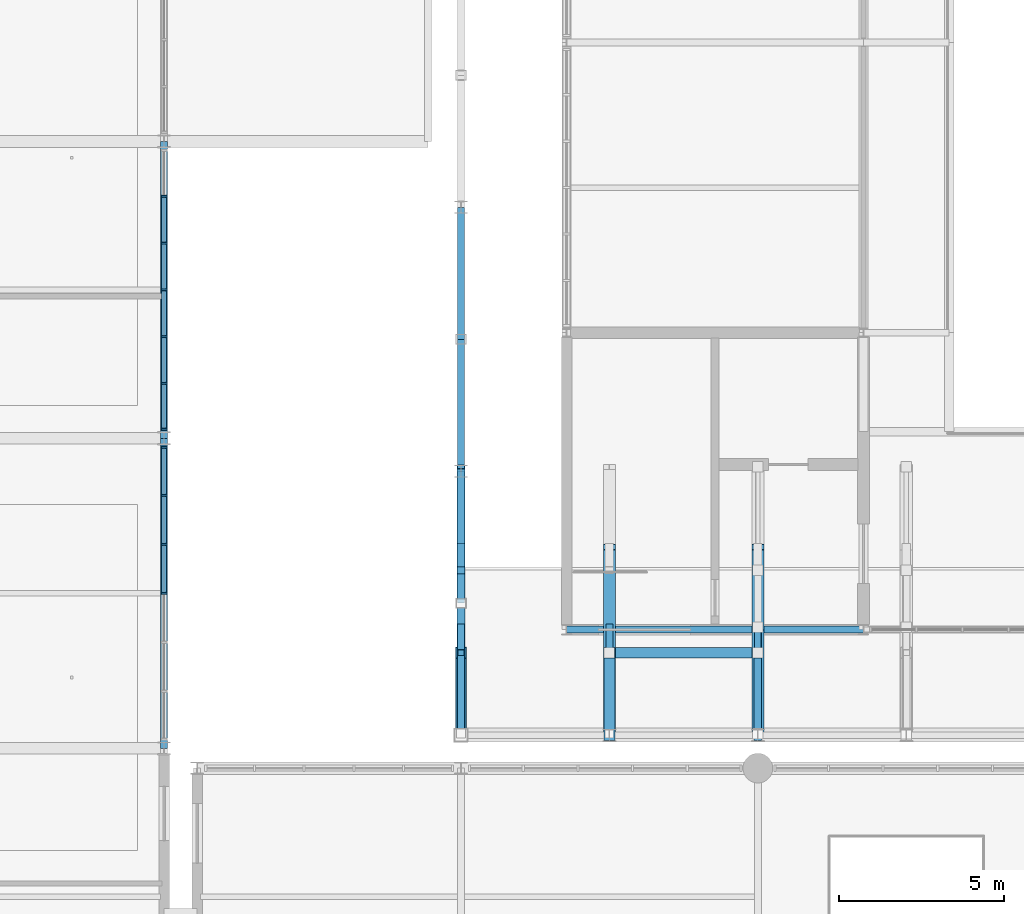
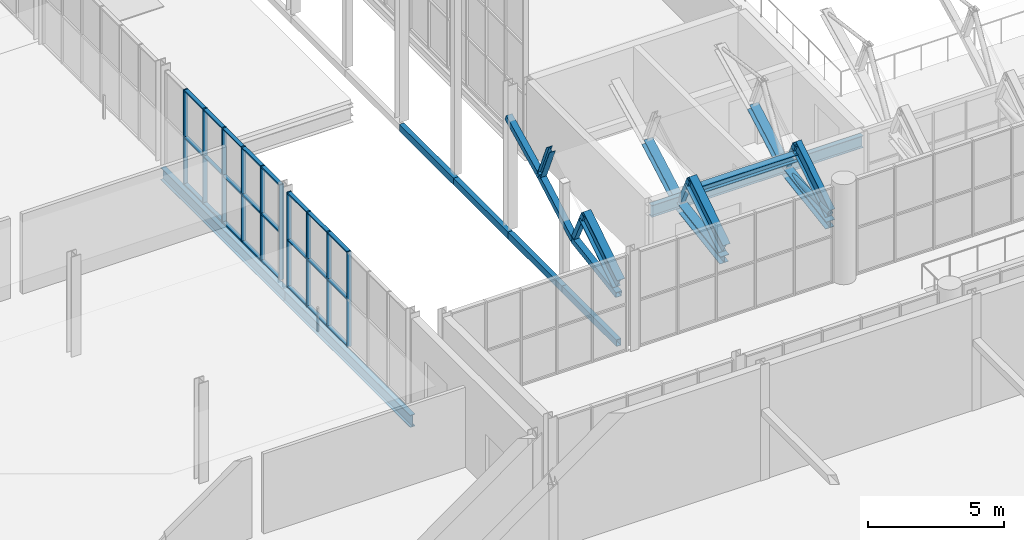
# One storey, part 46 of 134: 47 members, 10 beams, 2 elements without a shape of their own.
"""IFC4 building model written with IfcOpenShell, lengths in metres."""

from ifc_helpers import new_model, si_unit, direction, frame, origin, origin_2d, place, context, subcontext, project, spatial, rectangle, hollow_rectangle, hollow_circle, i_section, extrude, material, layer, layer_set, material_profile, profile_set, type_object, element, aggregate, save


model = new_model("IFC4")

# Units and contexts
model_context = context("Model", 3, precision=1e-05, world=origin(), true_north=direction((0.0, 1.0)))
body_context = subcontext(model_context, "Body", "Model", "MODEL_VIEW")
ifc_project = project(units=[si_unit("LENGTHUNIT", "METRE"), si_unit("AREAUNIT", "SQUARE_METRE"), si_unit("VOLUMEUNIT", "CUBIC_METRE"), si_unit("PLANEANGLEUNIT", "RADIAN"), si_unit("MASSUNIT", "GRAM", prefix="KILO")], contexts=[model_context])

# Site, building, storey
site_placement = place(None, origin())
site = spatial("IfcSite", under=ifc_project, at=site_placement, CompositionType="ELEMENT")
building_placement = place(site_placement, origin())
building = spatial("IfcBuilding", under=site, at=building_placement, Name="Cazmaro Siding Exhibition Halls", CompositionType="ELEMENT")
storey_placement = place(building_placement, frame((0.0, 0.0, 12.0)))
storey = spatial("IfcBuildingStorey", under=building, at=storey_placement, Name="L02", CompositionType="ELEMENT", Elevation=12.0)

# Beams
ifc_material_1 = material(Name="Steel ASTM A992 Grade 50", Category="steel")
ifc_material_profile_1 = material_profile(ifc_material_1, i_section(OverallWidth=0.327880859375, OverallDepth=0.626953125, WebThickness=0.01708984375, FlangeThickness=0.028076171875, at=origin_2d()), Name="W24X146")
ifc_profile_set_1 = profile_set([ifc_material_profile_1], Name="Steel ASTM A992 Grade 50")
beam_type_1 = type_object("IfcBeamType", Name="AR-01", PredefinedType="USERDEFINED", material=ifc_profile_set_1)
beam_1_placement = place(storey_placement, frame((45.0, 64.0, 2.300048828125), z_axis=(0.0, 0.843339173298, 0.537381650954), x_axis=(-1.0, 0.0, 0.0)))
element("IfcBeam", 1, at=beam_1_placement, inside=storey, type_object=beam_type_1, Name="Space frame barrel vault arched rib AR-01 BM-0535", ObjectType="ARCHED RIB", PredefinedType="USERDEFINED", context=body_context, shape_type="SweptSolid", body=[
    extrude(i_section(OverallWidth=0.327880859375, OverallDepth=0.626953125, WebThickness=0.01708984375, FlangeThickness=0.028076171875, at=origin_2d()), origin(), (0.0, 0.0, 1.0), 2.96435546875),
])
ifc_material_2 = material(Name="Steel ASTM A992 Grade 50", Category="steel")
ifc_material_profile_2 = material_profile(ifc_material_2, i_section(OverallWidth=0.324951171875, OverallDepth=0.612060546875, WebThickness=0.012939453125, FlangeThickness=0.01904296875, at=origin_2d()), Name="W24X104")
ifc_profile_set_2 = profile_set([ifc_material_profile_2], Name="Steel ASTM A992 Grade 50")
beam_type_2 = type_object("IfcBeamType", Name="AR-02", PredefinedType="USERDEFINED", material=ifc_profile_set_2)
beam_2_placement = place(storey_placement, frame((49.5, 64.0, 2.300048828125), z_axis=(0.0, 0.843339173298, 0.537381650954), x_axis=(-1.0, 0.0, 0.0)))
element("IfcBeam", 2, at=beam_2_placement, inside=storey, type_object=beam_type_2, Name="Space frame barrel vault arched rib AR-02 BM-0559", ObjectType="ARCHED RIB", PredefinedType="USERDEFINED", context=body_context, shape_type="SweptSolid", body=[
    extrude(i_section(OverallWidth=0.324951171875, OverallDepth=0.612060546875, WebThickness=0.012939453125, FlangeThickness=0.01904296875, at=origin_2d()), origin(), (0.0, 0.0, 1.0), 2.96435546875),
])
ifc_material_3 = material(Name="Steel ASTM A992 Grade 50", Category="steel")
ifc_material_profile_3 = material_profile(ifc_material_3, i_section(OverallWidth=0.22900390625, OverallDepth=0.612060546875, WebThickness=0.011962890625, FlangeThickness=0.02001953125, at=origin_2d()), Name="W24X84")
ifc_profile_set_3 = profile_set([ifc_material_profile_3], Name="Steel ASTM A992 Grade 50")
beam_type_3 = type_object("IfcBeamType", Name="AR-03", PredefinedType="USERDEFINED", material=ifc_profile_set_3)
beam_3_placement = place(storey_placement, frame((54.0, 64.0, 2.300048828125), z_axis=(0.0, 0.843339173298, 0.537381650954), x_axis=(-1.0, 0.0, 0.0)))
element("IfcBeam", 3, at=beam_3_placement, inside=storey, type_object=beam_type_3, Name="Space frame barrel vault arched rib AR-03 BM-0583", ObjectType="ARCHED RIB", PredefinedType="USERDEFINED", context=body_context, shape_type="SweptSolid", body=[
    extrude(i_section(OverallWidth=0.22900390625, OverallDepth=0.612060546875, WebThickness=0.011962890625, FlangeThickness=0.02001953125, at=origin_2d()), origin(), (0.0, 0.0, 1.0), 2.96435546875),
])
ifc_material_4 = material(Name="Steel ASTM A992 Grade 50", Category="steel")
ifc_material_profile_4 = material_profile(ifc_material_4, i_section(OverallWidth=0.214111328125, OverallDepth=0.549072265625, WebThickness=0.014892578125, FlangeThickness=0.02392578125, at=origin_2d()), Name="W21X93")
ifc_profile_set_4 = profile_set([ifc_material_profile_4], Name="Steel ASTM A992 Grade 50")
beam_type_4 = type_object("IfcBeamType", Name="B-01", PredefinedType="BEAM", material=ifc_profile_set_4)
beam_4_placement = place(storey_placement, frame((36.0, 63.60009765625, -0.4951171875), z_axis=(0.0, 1.0, 0.0), x_axis=(-1.0, 0.0, 0.0)))
element("IfcBeam", 4, at=beam_4_placement, inside=storey, type_object=beam_type_4, Name="Beam B-01 BM-2149", PredefinedType="BEAM", context=body_context, shape_type="SweptSolid", body=[
    extrude(i_section(OverallWidth=0.214111328125, OverallDepth=0.549072265625, WebThickness=0.014892578125, FlangeThickness=0.02392578125, at=origin_2d()), origin(), (0.0, 0.0, 1.0), 9.39990234375),
])
beam_5_placement = place(storey_placement, frame((36.0, 73.0, -0.4951171875), z_axis=(0.0, 1.0, 0.0), x_axis=(-1.0, 0.0, 0.0)))
element("IfcBeam", 5, at=beam_5_placement, inside=storey, type_object=beam_type_4, Name="Beam B-01 BM-2150", PredefinedType="BEAM", context=body_context, shape_type="SweptSolid", body=[
    extrude(i_section(OverallWidth=0.214111328125, OverallDepth=0.549072265625, WebThickness=0.014892578125, FlangeThickness=0.02392578125, at=origin_2d()), origin(), (0.0, 0.0, 1.0), 9.0),
])
ifc_material_5 = material(Name="Steel ASTM A992 Grade 50", Category="steel")
ifc_material_profile_5 = material_profile(ifc_material_5, i_section(OverallWidth=0.2099609375, OverallDepth=0.535888671875, WebThickness=0.010986328125, FlangeThickness=0.01708984375, at=origin_2d()), Name="W21X68")
ifc_profile_set_5 = profile_set([ifc_material_profile_5], Name="Steel ASTM A992 Grade 50")
beam_type_5 = type_object("IfcBeamType", Name="B-02", PredefinedType="BEAM", material=ifc_profile_set_5)
beam_6_placement = place(storey_placement, frame((48.199951171875, 67.199951171875, 2.52197265625), z_axis=(1.0, 0.0, 0.0), x_axis=(0.0, 1.0, 0.0)))
element("IfcBeam", 6, at=beam_6_placement, inside=storey, type_object=beam_type_5, Name="Beam B-02 BM-0253", PredefinedType="BEAM", context=body_context, shape_type="SweptSolid", body=[
    extrude(i_section(OverallWidth=0.2099609375, OverallDepth=0.535888671875, WebThickness=0.010986328125, FlangeThickness=0.01708984375, at=origin_2d()), origin(), (0.0, 0.0, 1.0), 9.0),
])

# Member
ifc_material_6 = material(Name="Steel ASTM A992 Grade 50", Category="steel")
ifc_material_profile_6 = material_profile(ifc_material_6, i_section(OverallWidth=0.306884765625, OverallDepth=0.31396484375, WebThickness=0.011962890625, FlangeThickness=0.01904296875, at=origin_2d()), Name="W12X79")
ifc_profile_set_6 = profile_set([ifc_material_profile_6], Name="Steel ASTM A992 Grade 50")
member_type_1 = type_object("IfcMemberType", Name="CS-02", PredefinedType="STRUT", material=ifc_profile_set_6)
member_1_placement = place(storey_placement, frame((49.5, 66.5, 3.35302734375), z_axis=(1.0, 0.0, 0.0), x_axis=(0.0, 1.0, 0.0)))
element("IfcMember", 7, at=member_1_placement, inside=storey, type_object=member_type_1, Name="Space frame vault springing strut CS-02 MEM-1991", PredefinedType="STRUT", context=body_context, shape_type="SweptSolid", body=[
    extrude(i_section(OverallWidth=0.306884765625, OverallDepth=0.31396484375, WebThickness=0.011962890625, FlangeThickness=0.01904296875, at=origin_2d()), origin(), (0.0, 0.0, 1.0), 4.5),
])

# Curtain wall, members
ifc_material_7 = material(Name="Anodized Bronze Aluminum and Solar-Control Low-E Glazing", Category="aluminium")
ifc_layer = layer(ifc_material_7, 0.179931640625)
ifc_layer_set = layer_set([ifc_layer], Name="Anodized Bronze Aluminum and Solar-Control Low-E Glazing")
curtain_wall_type = type_object("IfcCurtainWallType", Name="CWS-01", PredefinedType="USERDEFINED", material=ifc_layer_set)
curtain_wall_1_placement = place(storey_placement, origin())
curtain_wall_1 = element("IfcCurtainWall", 8, at=curtain_wall_1_placement, inside=storey, type_object=curtain_wall_type, Name="Glazed Curtain Wall CWS-01 CW-237", ObjectType="GLAZED CURTAIN WALL", PredefinedType="USERDEFINED")
ifc_material_8 = material(Name="Anodized Bronze Extruded Aluminum", Category="aluminium")
ifc_material_profile_7 = material_profile(ifc_material_8, rectangle(XDim=0.179931640625, YDim=0.06005859375, at=origin_2d()), Name="CWM-01")
ifc_profile_set_7 = profile_set([ifc_material_profile_7], Name="Anodized Bronze Extruded Aluminum")
member_type_2 = type_object("IfcMemberType", Name="CWM-01", PredefinedType="MULLION", material=ifc_profile_set_7)
member_2_placement = place(storey_placement, frame((36.0, 68.300048828125, 0.0), z_axis=(0.0, 0.0, 1.0), x_axis=(-1.0, 0.0, 0.0)))
member_2 = element("IfcMember", 9, at=member_2_placement, type_object=member_type_2, Name="CWS-01 mullion 4", PredefinedType="MULLION", context=body_context, shape_type="SweptSolid", body=[
    extrude(rectangle(XDim=0.179931640625, YDim=0.06005859375, at=origin_2d()), origin(), (0.0, 0.0, 1.0), 4.280029296875),
])
member_3_placement = place(storey_placement, frame((36.0, 69.784912109375, 0.0), z_axis=(0.0, 0.0, 1.0), x_axis=(-1.0, 0.0, 0.0)))
member_3 = element("IfcMember", 10, at=member_3_placement, type_object=member_type_2, Name="CWS-01 mullion 5", PredefinedType="MULLION", context=body_context, shape_type="SweptSolid", body=[
    extrude(rectangle(XDim=0.179931640625, YDim=0.06005859375, at=origin_2d()), origin(), (0.0, 0.0, 1.0), 4.280029296875),
])
member_4_placement = place(storey_placement, frame((36.0, 71.27001953125, 0.0), z_axis=(0.0, 0.0, 1.0), x_axis=(-1.0, 0.0, 0.0)))
member_4 = element("IfcMember", 11, at=member_4_placement, type_object=member_type_2, Name="CWS-01 mullion 6", PredefinedType="MULLION", context=body_context, shape_type="SweptSolid", body=[
    extrude(rectangle(XDim=0.179931640625, YDim=0.06005859375, at=origin_2d()), origin(), (0.0, 0.0, 1.0), 4.280029296875),
])
member_5_placement = place(storey_placement, frame((36.0, 72.72509765625, 0.0), z_axis=(0.0, 0.0, 1.0), x_axis=(-1.0, 0.0, 0.0)))
member_5 = element("IfcMember", 12, at=member_5_placement, type_object=member_type_2, Name="CWS-01 mullion 7", PredefinedType="MULLION", context=body_context, shape_type="SweptSolid", body=[
    extrude(rectangle(XDim=0.179931640625, YDim=0.06005859375, at=origin_2d()), origin(), (0.0, 0.0, 1.0), 4.280029296875),
])

curtain_wall_2_placement = place(storey_placement, origin())
curtain_wall_2 = element("IfcCurtainWall", 13, at=curtain_wall_2_placement, inside=storey, type_object=curtain_wall_type, Name="Glazed Curtain Wall CWS-01 CW-238", ObjectType="GLAZED CURTAIN WALL", PredefinedType="USERDEFINED")
member_6_placement = place(storey_placement, frame((36.0, 73.27490234375, 0.0), z_axis=(0.0, 0.0, 1.0), x_axis=(-1.0, 0.0, 0.0)))
member_6 = element("IfcMember", 14, at=member_6_placement, type_object=member_type_2, Name="CWS-01 mullion 1", PredefinedType="MULLION", context=body_context, shape_type="SweptSolid", body=[
    extrude(rectangle(XDim=0.179931640625, YDim=0.06005859375, at=origin_2d()), origin(), (0.0, 0.0, 1.0), 4.280029296875),
])
member_7_placement = place(storey_placement, frame((36.0, 74.663330078125, 0.0), z_axis=(0.0, 0.0, 1.0), x_axis=(-1.0, 0.0, 0.0)))
member_7 = element("IfcMember", 15, at=member_7_placement, type_object=member_type_2, Name="CWS-01 mullion 2", PredefinedType="MULLION", context=body_context, shape_type="SweptSolid", body=[
    extrude(rectangle(XDim=0.179931640625, YDim=0.06005859375, at=origin_2d()), origin(), (0.0, 0.0, 1.0), 4.280029296875),
])
member_8_placement = place(storey_placement, frame((36.0, 76.081787109375, 0.0), z_axis=(0.0, 0.0, 1.0), x_axis=(-1.0, 0.0, 0.0)))
member_8 = element("IfcMember", 16, at=member_8_placement, type_object=member_type_2, Name="CWS-01 mullion 3", PredefinedType="MULLION", context=body_context, shape_type="SweptSolid", body=[
    extrude(rectangle(XDim=0.179931640625, YDim=0.06005859375, at=origin_2d()), origin(), (0.0, 0.0, 1.0), 4.280029296875),
])
member_9_placement = place(storey_placement, frame((36.0, 77.5, 0.0), z_axis=(0.0, 0.0, 1.0), x_axis=(-1.0, 0.0, 0.0)))
member_9 = element("IfcMember", 17, at=member_9_placement, type_object=member_type_2, Name="CWS-01 mullion 4", PredefinedType="MULLION", context=body_context, shape_type="SweptSolid", body=[
    extrude(rectangle(XDim=0.179931640625, YDim=0.06005859375, at=origin_2d()), origin(), (0.0, 0.0, 1.0), 4.280029296875),
])
member_10_placement = place(storey_placement, frame((36.0, 78.918212890625, 0.0), z_axis=(0.0, 0.0, 1.0), x_axis=(-1.0, 0.0, 0.0)))
member_10 = element("IfcMember", 18, at=member_10_placement, type_object=member_type_2, Name="CWS-01 mullion 5", PredefinedType="MULLION", context=body_context, shape_type="SweptSolid", body=[
    extrude(rectangle(XDim=0.179931640625, YDim=0.06005859375, at=origin_2d()), origin(), (0.0, 0.0, 1.0), 4.280029296875),
])
member_11_placement = place(storey_placement, frame((36.0, 80.336669921875, 0.0), z_axis=(0.0, 0.0, 1.0), x_axis=(-1.0, 0.0, 0.0)))
member_11 = element("IfcMember", 19, at=member_11_placement, type_object=member_type_2, Name="CWS-01 mullion 6", PredefinedType="MULLION", context=body_context, shape_type="SweptSolid", body=[
    extrude(rectangle(XDim=0.179931640625, YDim=0.06005859375, at=origin_2d()), origin(), (0.0, 0.0, 1.0), 4.280029296875),
])

# Member
ifc_material_9 = material(Name="Anodized Bronze Extruded Aluminum", Category="aluminium")
ifc_material_profile_8 = material_profile(ifc_material_9, rectangle(XDim=0.159912109375, YDim=0.06005859375, at=origin_2d()), Name="CWT-01")
ifc_profile_set_8 = profile_set([ifc_material_profile_8], Name="Anodized Bronze Extruded Aluminum")
member_type_3 = type_object("IfcMemberType", Name="CWT-01", PredefinedType="MULLION", material=ifc_profile_set_8)
member_12_placement = place(storey_placement, frame((36.0, 68.330078125, 0.030029296875), z_axis=(0.0, 1.0, 0.0), x_axis=(-1.0, 0.0, 0.0)))
member_12 = element("IfcMember", 20, at=member_12_placement, type_object=member_type_3, Name="CWS-01 transom 4.1", ObjectType="TRANSOM", PredefinedType="USERDEFINED", context=body_context, shape_type="SweptSolid", body=[
    extrude(rectangle(XDim=0.159912109375, YDim=0.06005859375, at=origin_2d()), origin(), (0.0, 0.0, 1.0), 1.4248046875),
])

member_13_placement = place(storey_placement, frame((36.0, 68.330078125, 2.139892578125), z_axis=(0.0, 1.0, 0.0), x_axis=(-1.0, 0.0, 0.0)))
member_13 = element("IfcMember", 21, at=member_13_placement, type_object=member_type_3, Name="CWS-01 transom 4.2", ObjectType="TRANSOM", PredefinedType="USERDEFINED", context=body_context, shape_type="SweptSolid", body=[
    extrude(rectangle(XDim=0.159912109375, YDim=0.06005859375, at=origin_2d()), origin(), (0.0, 0.0, 1.0), 1.4248046875),
])

member_14_placement = place(storey_placement, frame((36.0, 68.330078125, 4.25), z_axis=(0.0, 1.0, 0.0), x_axis=(-1.0, 0.0, 0.0)))
member_14 = element("IfcMember", 22, at=member_14_placement, type_object=member_type_3, Name="CWS-01 transom 4.3", ObjectType="TRANSOM", PredefinedType="USERDEFINED", context=body_context, shape_type="SweptSolid", body=[
    extrude(rectangle(XDim=0.159912109375, YDim=0.06005859375, at=origin_2d()), origin(), (0.0, 0.0, 1.0), 1.4248046875),
])

member_15_placement = place(storey_placement, frame((36.0, 69.81494140625, 0.030029296875), z_axis=(0.0, 1.0, 0.0), x_axis=(-1.0, 0.0, 0.0)))
member_15 = element("IfcMember", 23, at=member_15_placement, type_object=member_type_3, Name="CWS-01 transom 5.1", ObjectType="TRANSOM", PredefinedType="USERDEFINED", context=body_context, shape_type="SweptSolid", body=[
    extrude(rectangle(XDim=0.159912109375, YDim=0.06005859375, at=origin_2d()), origin(), (0.0, 0.0, 1.0), 1.425048828125),
])

member_16_placement = place(storey_placement, frame((36.0, 69.81494140625, 2.139892578125), z_axis=(0.0, 1.0, 0.0), x_axis=(-1.0, 0.0, 0.0)))
member_16 = element("IfcMember", 24, at=member_16_placement, type_object=member_type_3, Name="CWS-01 transom 5.2", ObjectType="TRANSOM", PredefinedType="USERDEFINED", context=body_context, shape_type="SweptSolid", body=[
    extrude(rectangle(XDim=0.159912109375, YDim=0.06005859375, at=origin_2d()), origin(), (0.0, 0.0, 1.0), 1.425048828125),
])

member_17_placement = place(storey_placement, frame((36.0, 69.81494140625, 4.25), z_axis=(0.0, 1.0, 0.0), x_axis=(-1.0, 0.0, 0.0)))
member_17 = element("IfcMember", 25, at=member_17_placement, type_object=member_type_3, Name="CWS-01 transom 5.3", ObjectType="TRANSOM", PredefinedType="USERDEFINED", context=body_context, shape_type="SweptSolid", body=[
    extrude(rectangle(XDim=0.159912109375, YDim=0.06005859375, at=origin_2d()), origin(), (0.0, 0.0, 1.0), 1.425048828125),
])

member_18_placement = place(storey_placement, frame((36.0, 71.300048828125, 0.030029296875), z_axis=(0.0, 1.0, 0.0), x_axis=(-1.0, 0.0, 0.0)))
member_18 = element("IfcMember", 26, at=member_18_placement, type_object=member_type_3, Name="CWS-01 transom 6.1", ObjectType="TRANSOM", PredefinedType="USERDEFINED", context=body_context, shape_type="SweptSolid", body=[
    extrude(rectangle(XDim=0.159912109375, YDim=0.06005859375, at=origin_2d()), origin(), (0.0, 0.0, 1.0), 1.39501953125),
])

member_19_placement = place(storey_placement, frame((36.0, 71.300048828125, 2.139892578125), z_axis=(0.0, 1.0, 0.0), x_axis=(-1.0, 0.0, 0.0)))
member_19 = element("IfcMember", 27, at=member_19_placement, type_object=member_type_3, Name="CWS-01 transom 6.2", ObjectType="TRANSOM", PredefinedType="USERDEFINED", context=body_context, shape_type="SweptSolid", body=[
    extrude(rectangle(XDim=0.159912109375, YDim=0.06005859375, at=origin_2d()), origin(), (0.0, 0.0, 1.0), 1.39501953125),
])

member_20_placement = place(storey_placement, frame((36.0, 71.300048828125, 4.25), z_axis=(0.0, 1.0, 0.0), x_axis=(-1.0, 0.0, 0.0)))
member_20 = element("IfcMember", 28, at=member_20_placement, type_object=member_type_3, Name="CWS-01 transom 6.3", ObjectType="TRANSOM", PredefinedType="USERDEFINED", context=body_context, shape_type="SweptSolid", body=[
    extrude(rectangle(XDim=0.159912109375, YDim=0.06005859375, at=origin_2d()), origin(), (0.0, 0.0, 1.0), 1.39501953125),
])

aggregate(curtain_wall_1, [member_2, member_3, member_4, member_5, member_12, member_13, member_14, member_15, member_16, member_17, member_18, member_19, member_20])

member_21_placement = place(storey_placement, frame((36.0, 73.304931640625, 0.030029296875), z_axis=(0.0, 1.0, 0.0), x_axis=(-1.0, 0.0, 0.0)))
member_21 = element("IfcMember", 29, at=member_21_placement, type_object=member_type_3, Name="CWS-01 transom 1.1", ObjectType="TRANSOM", PredefinedType="USERDEFINED", context=body_context, shape_type="SweptSolid", body=[
    extrude(rectangle(XDim=0.159912109375, YDim=0.06005859375, at=origin_2d()), origin(), (0.0, 0.0, 1.0), 1.328369140625),
])

member_22_placement = place(storey_placement, frame((36.0, 73.304931640625, 2.139892578125), z_axis=(0.0, 1.0, 0.0), x_axis=(-1.0, 0.0, 0.0)))
member_22 = element("IfcMember", 30, at=member_22_placement, type_object=member_type_3, Name="CWS-01 transom 1.2", ObjectType="TRANSOM", PredefinedType="USERDEFINED", context=body_context, shape_type="SweptSolid", body=[
    extrude(rectangle(XDim=0.159912109375, YDim=0.06005859375, at=origin_2d()), origin(), (0.0, 0.0, 1.0), 1.328369140625),
])

member_23_placement = place(storey_placement, frame((36.0, 73.304931640625, 4.25), z_axis=(0.0, 1.0, 0.0), x_axis=(-1.0, 0.0, 0.0)))
member_23 = element("IfcMember", 31, at=member_23_placement, type_object=member_type_3, Name="CWS-01 transom 1.3", ObjectType="TRANSOM", PredefinedType="USERDEFINED", context=body_context, shape_type="SweptSolid", body=[
    extrude(rectangle(XDim=0.159912109375, YDim=0.06005859375, at=origin_2d()), origin(), (0.0, 0.0, 1.0), 1.328369140625),
])

member_24_placement = place(storey_placement, frame((36.0, 74.693359375, 0.030029296875), z_axis=(0.0, 1.0, 0.0), x_axis=(-1.0, 0.0, 0.0)))
member_24 = element("IfcMember", 32, at=member_24_placement, type_object=member_type_3, Name="CWS-01 transom 2.1", ObjectType="TRANSOM", PredefinedType="USERDEFINED", context=body_context, shape_type="SweptSolid", body=[
    extrude(rectangle(XDim=0.159912109375, YDim=0.06005859375, at=origin_2d()), origin(), (0.0, 0.0, 1.0), 1.3583984375),
])

member_25_placement = place(storey_placement, frame((36.0, 74.693359375, 2.139892578125), z_axis=(0.0, 1.0, 0.0), x_axis=(-1.0, 0.0, 0.0)))
member_25 = element("IfcMember", 33, at=member_25_placement, type_object=member_type_3, Name="CWS-01 transom 2.2", ObjectType="TRANSOM", PredefinedType="USERDEFINED", context=body_context, shape_type="SweptSolid", body=[
    extrude(rectangle(XDim=0.159912109375, YDim=0.06005859375, at=origin_2d()), origin(), (0.0, 0.0, 1.0), 1.3583984375),
])

member_26_placement = place(storey_placement, frame((36.0, 74.693359375, 4.25), z_axis=(0.0, 1.0, 0.0), x_axis=(-1.0, 0.0, 0.0)))
member_26 = element("IfcMember", 34, at=member_26_placement, type_object=member_type_3, Name="CWS-01 transom 2.3", ObjectType="TRANSOM", PredefinedType="USERDEFINED", context=body_context, shape_type="SweptSolid", body=[
    extrude(rectangle(XDim=0.159912109375, YDim=0.06005859375, at=origin_2d()), origin(), (0.0, 0.0, 1.0), 1.3583984375),
])

member_27_placement = place(storey_placement, frame((36.0, 76.111572265625, 0.030029296875), z_axis=(0.0, 1.0, 0.0), x_axis=(-1.0, 0.0, 0.0)))
member_27 = element("IfcMember", 35, at=member_27_placement, type_object=member_type_3, Name="CWS-01 transom 3.1", ObjectType="TRANSOM", PredefinedType="USERDEFINED", context=body_context, shape_type="SweptSolid", body=[
    extrude(rectangle(XDim=0.159912109375, YDim=0.06005859375, at=origin_2d()), origin(), (0.0, 0.0, 1.0), 1.3583984375),
])

member_28_placement = place(storey_placement, frame((36.0, 76.111572265625, 2.139892578125), z_axis=(0.0, 1.0, 0.0), x_axis=(-1.0, 0.0, 0.0)))
member_28 = element("IfcMember", 36, at=member_28_placement, type_object=member_type_3, Name="CWS-01 transom 3.2", ObjectType="TRANSOM", PredefinedType="USERDEFINED", context=body_context, shape_type="SweptSolid", body=[
    extrude(rectangle(XDim=0.159912109375, YDim=0.06005859375, at=origin_2d()), origin(), (0.0, 0.0, 1.0), 1.3583984375),
])

member_29_placement = place(storey_placement, frame((36.0, 76.111572265625, 4.25), z_axis=(0.0, 1.0, 0.0), x_axis=(-1.0, 0.0, 0.0)))
member_29 = element("IfcMember", 37, at=member_29_placement, type_object=member_type_3, Name="CWS-01 transom 3.3", ObjectType="TRANSOM", PredefinedType="USERDEFINED", context=body_context, shape_type="SweptSolid", body=[
    extrude(rectangle(XDim=0.159912109375, YDim=0.06005859375, at=origin_2d()), origin(), (0.0, 0.0, 1.0), 1.3583984375),
])

member_30_placement = place(storey_placement, frame((36.0, 77.530029296875, 0.030029296875), z_axis=(0.0, 1.0, 0.0), x_axis=(-1.0, 0.0, 0.0)))
member_30 = element("IfcMember", 38, at=member_30_placement, type_object=member_type_3, Name="CWS-01 transom 4.1", ObjectType="TRANSOM", PredefinedType="USERDEFINED", context=body_context, shape_type="SweptSolid", body=[
    extrude(rectangle(XDim=0.159912109375, YDim=0.06005859375, at=origin_2d()), origin(), (0.0, 0.0, 1.0), 1.3583984375),
])

member_31_placement = place(storey_placement, frame((36.0, 77.530029296875, 2.139892578125), z_axis=(0.0, 1.0, 0.0), x_axis=(-1.0, 0.0, 0.0)))
member_31 = element("IfcMember", 39, at=member_31_placement, type_object=member_type_3, Name="CWS-01 transom 4.2", ObjectType="TRANSOM", PredefinedType="USERDEFINED", context=body_context, shape_type="SweptSolid", body=[
    extrude(rectangle(XDim=0.159912109375, YDim=0.06005859375, at=origin_2d()), origin(), (0.0, 0.0, 1.0), 1.3583984375),
])

member_32_placement = place(storey_placement, frame((36.0, 77.530029296875, 4.25), z_axis=(0.0, 1.0, 0.0), x_axis=(-1.0, 0.0, 0.0)))
member_32 = element("IfcMember", 40, at=member_32_placement, type_object=member_type_3, Name="CWS-01 transom 4.3", ObjectType="TRANSOM", PredefinedType="USERDEFINED", context=body_context, shape_type="SweptSolid", body=[
    extrude(rectangle(XDim=0.159912109375, YDim=0.06005859375, at=origin_2d()), origin(), (0.0, 0.0, 1.0), 1.3583984375),
])

member_33_placement = place(storey_placement, frame((36.0, 78.9482421875, 0.030029296875), z_axis=(0.0, 1.0, 0.0), x_axis=(-1.0, 0.0, 0.0)))
member_33 = element("IfcMember", 41, at=member_33_placement, type_object=member_type_3, Name="CWS-01 transom 5.1", ObjectType="TRANSOM", PredefinedType="USERDEFINED", context=body_context, shape_type="SweptSolid", body=[
    extrude(rectangle(XDim=0.159912109375, YDim=0.06005859375, at=origin_2d()), origin(), (0.0, 0.0, 1.0), 1.3583984375),
])

member_34_placement = place(storey_placement, frame((36.0, 78.9482421875, 2.139892578125), z_axis=(0.0, 1.0, 0.0), x_axis=(-1.0, 0.0, 0.0)))
member_34 = element("IfcMember", 42, at=member_34_placement, type_object=member_type_3, Name="CWS-01 transom 5.2", ObjectType="TRANSOM", PredefinedType="USERDEFINED", context=body_context, shape_type="SweptSolid", body=[
    extrude(rectangle(XDim=0.159912109375, YDim=0.06005859375, at=origin_2d()), origin(), (0.0, 0.0, 1.0), 1.3583984375),
])

member_35_placement = place(storey_placement, frame((36.0, 78.9482421875, 4.25), z_axis=(0.0, 1.0, 0.0), x_axis=(-1.0, 0.0, 0.0)))
member_35 = element("IfcMember", 43, at=member_35_placement, type_object=member_type_3, Name="CWS-01 transom 5.3", ObjectType="TRANSOM", PredefinedType="USERDEFINED", context=body_context, shape_type="SweptSolid", body=[
    extrude(rectangle(XDim=0.159912109375, YDim=0.06005859375, at=origin_2d()), origin(), (0.0, 0.0, 1.0), 1.3583984375),
])

aggregate(curtain_wall_2, [member_6, member_7, member_8, member_9, member_10, member_11, member_21, member_22, member_23, member_24, member_25, member_26, member_27, member_28, member_29, member_30, member_31, member_32, member_33, member_34, member_35])

# Beams
ifc_material_10 = material(Name="Steel ASTM A500 Grade C", Category="steel")
ifc_material_profile_9 = material_profile(ifc_material_10, hollow_rectangle(XDim=0.202880859375, YDim=0.304931640625, WallThickness=0.011962890625, at=origin_2d()), Name="HSS12X8X1/2")
ifc_profile_set_9 = profile_set([ifc_material_profile_9], Name="Steel ASTM A500 Grade C")
beam_type_6 = type_object("IfcBeamType", Name="SP-01", PredefinedType="SPANDREL", material=ifc_profile_set_9)
for number, where, z_axis, x_axis, name in (
    (44, (45.0, 64.0, -0.373046875), (0.0, 1.0, 0.0), (-1.0, 0.0, 0.0), "Beam SP-01 BM-0002"),
    (45, (45.0, 68.0, -0.373046875), (0.0, 1.0, 0.0), (-1.0, 0.0, 0.0), "Beam SP-01 BM-0004"),
    (46, (45.0, 72.0, -0.373046875), (0.0, 1.0, 0.0), (-1.0, 0.0, 0.0), "Beam SP-01 BM-0006"),
    (47, (45.0, 76.0, -0.373046875), (0.0, 1.0, 0.0), (-1.0, 0.0, 0.0), "Beam SP-01 BM-0008"),
):
    element("IfcBeam", number, at=place(storey_placement, frame(where, z_axis=z_axis, x_axis=x_axis)), inside=storey, type_object=beam_type_6, Name=name, PredefinedType="SPANDREL", context=body_context, shape_type="SweptSolid", body=[
        extrude(hollow_rectangle(XDim=0.202880859375, YDim=0.304931640625, WallThickness=0.011962890625, at=origin_2d()), origin(), (0.0, 0.0, 1.0), 4.0),
    ])

# Members
ifc_material_11 = material(Name="Steel ASTM A500 Grade C", Category="steel")
ifc_material_profile_10 = material_profile(ifc_material_11, hollow_rectangle(XDim=0.25390625, YDim=0.25390625, WallThickness=0.014892578125, at=origin_2d()), Name="HSS10X10X5/8")
ifc_profile_set_10 = profile_set([ifc_material_profile_10], Name="Steel ASTM A500 Grade C")
member_type_4 = type_object("IfcMemberType", Name="TC-01", PredefinedType="CHORD", material=ifc_profile_set_10)
member_36_placement = place(storey_placement, frame((45.0, 64.0, 1.800048828125), z_axis=(0.0, 0.988252010809, 0.152833121839), x_axis=(-1.0, 0.0, 0.0)))
element("IfcMember", 48, at=member_36_placement, inside=storey, type_object=member_type_4, Name="Space frame barrel vault bottom chord TC-01 MEM-0001", PredefinedType="CHORD", context=body_context, shape_type="SweptSolid", body=[
    extrude(hollow_rectangle(XDim=0.25390625, YDim=0.25390625, WallThickness=0.014892578125, at=origin_2d()), origin(), (0.0, 0.0, 1.0), 3.309814453125),
])
member_37_placement = place(storey_placement, frame((45.0, 67.27099609375, 2.305908203125), z_axis=(0.0, 0.871222319466, 0.490888653428), x_axis=(-1.0, 0.0, 0.0)))
element("IfcMember", 49, at=member_37_placement, inside=storey, type_object=member_type_4, Name="Space frame barrel vault bottom chord TC-01 MEM-0002", PredefinedType="CHORD", context=body_context, shape_type="SweptSolid", body=[
    extrude(hollow_rectangle(XDim=0.25390625, YDim=0.25390625, WallThickness=0.014892578125, at=origin_2d()), origin(), (0.0, 0.0, 1.0), 2.7890625),
])
member_38_placement = place(storey_placement, frame((45.0, 69.700927734375, 3.675048828125), z_axis=(0.0, 0.896077457924, 0.443897724033), x_axis=(-1.0, 0.0, 0.0)))
element("IfcMember", 50, at=member_38_placement, inside=storey, type_object=member_type_4, Name="Space frame barrel vault bottom chord TC-01 MEM-0003", PredefinedType="CHORD", context=body_context, shape_type="SweptSolid", body=[
    extrude(hollow_rectangle(XDim=0.25390625, YDim=0.25390625, WallThickness=0.014892578125, at=origin_2d()), origin(), (0.0, 0.0, 1.0), 2.7119140625),
])
ifc_material_12 = material(Name="Steel ASTM A992 Grade 50", Category="steel")
ifc_material_profile_11 = material_profile(ifc_material_12, i_section(OverallWidth=0.37109375, OverallDepth=0.364013671875, WebThickness=0.012939453125, FlangeThickness=0.02197265625, at=origin_2d()), Name="W14X109")
ifc_profile_set_11 = profile_set([ifc_material_profile_11], Name="Steel ASTM A992 Grade 50")
member_type_5 = type_object("IfcMemberType", Name="TC-06", PredefinedType="CHORD", material=ifc_profile_set_11)
member_39_placement = place(storey_placement, frame((49.5, 64.0, 1.800048828125), z_axis=(0.0, 0.988252010809, 0.152833121839), x_axis=(-1.0, 0.0, 0.0)))
element("IfcMember", 51, at=member_39_placement, inside=storey, type_object=member_type_5, Name="Space frame barrel vault bottom chord TC-06 MEM-0048", PredefinedType="CHORD", context=body_context, shape_type="SweptSolid", body=[
    extrude(i_section(OverallWidth=0.37109375, OverallDepth=0.364013671875, WebThickness=0.012939453125, FlangeThickness=0.02197265625, at=origin_2d()), origin(), (0.0, 0.0, 1.0), 3.309814453125),
])
member_40_placement = place(storey_placement, frame((49.5, 67.27099609375, 2.305908203125), z_axis=(0.0, 0.871222319466, 0.490888653428), x_axis=(-1.0, 0.0, 0.0)))
element("IfcMember", 52, at=member_40_placement, inside=storey, type_object=member_type_5, Name="Space frame barrel vault bottom chord TC-06 MEM-0049", PredefinedType="CHORD", context=body_context, shape_type="SweptSolid", body=[
    extrude(i_section(OverallWidth=0.37109375, OverallDepth=0.364013671875, WebThickness=0.012939453125, FlangeThickness=0.02197265625, at=origin_2d()), origin(), (0.0, 0.0, 1.0), 2.7890625),
])
member_41_placement = place(storey_placement, frame((54.0, 64.0, 1.800048828125), z_axis=(0.0, 0.988252010809, 0.152833121839), x_axis=(-1.0, 0.0, 0.0)))
element("IfcMember", 53, at=member_41_placement, inside=storey, type_object=member_type_5, Name="Space frame barrel vault bottom chord TC-06 MEM-0095", PredefinedType="CHORD", context=body_context, shape_type="SweptSolid", body=[
    extrude(i_section(OverallWidth=0.37109375, OverallDepth=0.364013671875, WebThickness=0.012939453125, FlangeThickness=0.02197265625, at=origin_2d()), origin(), (0.0, 0.0, 1.0), 3.309814453125),
])
member_42_placement = place(storey_placement, frame((54.0, 67.27099609375, 2.305908203125), z_axis=(0.0, 0.871222319466, 0.490888653428), x_axis=(-1.0, 0.0, 0.0)))
element("IfcMember", 54, at=member_42_placement, inside=storey, type_object=member_type_5, Name="Space frame barrel vault bottom chord TC-06 MEM-0097", PredefinedType="CHORD", context=body_context, shape_type="SweptSolid", body=[
    extrude(i_section(OverallWidth=0.37109375, OverallDepth=0.364013671875, WebThickness=0.012939453125, FlangeThickness=0.02197265625, at=origin_2d()), origin(), (0.0, 0.0, 1.0), 2.7890625),
])
ifc_material_13 = material(Name="Steel ASTM A500 Grade C", Category="steel")
ifc_material_profile_12 = material_profile(ifc_material_13, hollow_rectangle(XDim=0.202880859375, YDim=0.202880859375, WallThickness=0.011962890625, at=origin_2d()), Name="HSS8X8X1/2")
ifc_profile_set_12 = profile_set([ifc_material_profile_12], Name="Steel ASTM A500 Grade C")
member_type_6 = type_object("IfcMemberType", Name="TP-01", PredefinedType="POST", material=ifc_profile_set_12)
for number, where, z_axis, x_axis, name in (
    (55, (45.0, 67.27099609375, 2.305908203125), (0.0, -0.436945543824, 0.89948796086), (1.0, 0.0, 0.0), "Space frame barrel vault post TP-01 MEM-0025"),
    (56, (49.5, 67.27099609375, 2.305908203125), (0.0, -0.436945543824, 0.89948796086), (1.0, 0.0, 0.0), "Space frame barrel vault post TP-01 MEM-0072"),
    (57, (54.0, 67.27099609375, 2.305908203125), (0.0, -0.436945543824, 0.89948796086), (1.0, 0.0, 0.0), "Space frame barrel vault post TP-01 MEM-0143"),
):
    element("IfcMember", number, at=place(storey_placement, frame(where, z_axis=z_axis, x_axis=x_axis)), inside=storey, type_object=member_type_6, Name=name, PredefinedType="POST", context=body_context, shape_type="SweptSolid", body=[
        extrude(hollow_rectangle(XDim=0.202880859375, YDim=0.202880859375, WallThickness=0.011962890625, at=origin_2d()), origin(), (0.0, 0.0, 1.0), 1.764404296875),
    ])
ifc_material_14 = material(Name="Steel ASTM A992 Grade 50", Category="steel")
ifc_material_profile_13 = material_profile(ifc_material_14, i_section(OverallWidth=0.25390625, OverallDepth=0.25390625, WebThickness=0.009033203125, FlangeThickness=0.013916015625, at=origin_2d()), Name="W10X49")
ifc_profile_set_13 = profile_set([ifc_material_profile_13], Name="Steel ASTM A992 Grade 50")
member_type_7 = type_object("IfcMemberType", Name="TP-04", PredefinedType="POST", material=ifc_profile_set_13)
member_43_placement = place(storey_placement, frame((45.0, 69.700927734375, 3.675048828125), z_axis=(0.0, -0.395865434272, 0.918308530913), x_axis=(1.0, 0.0, 0.0)))
element("IfcMember", 58, at=member_43_placement, inside=storey, type_object=member_type_7, Name="Space frame barrel vault post TP-04 MEM-0026", PredefinedType="POST", context=body_context, shape_type="SweptSolid", body=[
    extrude(i_section(OverallWidth=0.25390625, OverallDepth=0.25390625, WebThickness=0.009033203125, FlangeThickness=0.013916015625, at=origin_2d()), origin(), (0.0, 0.0, 1.0), 1.7705078125),
])
ifc_material_15 = material(Name="Steel ASTM A500 Grade C", Category="steel")
ifc_material_profile_14 = material_profile(ifc_material_15, hollow_circle(Radius=0.109619140625, WallThickness=0.012939453125, at=origin_2d()), Name="PIPE8XS")
ifc_profile_set_14 = profile_set([ifc_material_profile_14], Name="Steel ASTM A500 Grade C")
member_type_8 = type_object("IfcMemberType", Name="WB-01", PredefinedType="BRACE", material=ifc_profile_set_14)
member_44_placement = place(storey_placement, frame((54.0, 64.0, 2.300048828125), z_axis=(0.0, 0.999998395604, 0.001791309262), x_axis=(-1.0, 0.0, 0.0)))
element("IfcMember", 59, at=member_44_placement, inside=storey, type_object=member_type_8, Name="Space frame barrel vault diagonal WB-01 MEM-0096", PredefinedType="BRACE", context=body_context, shape_type="SweptSolid", body=[
    extrude(hollow_circle(Radius=0.109619140625, WallThickness=0.012939453125, at=origin_2d()), origin(), (0.0, 0.0, 1.0), 3.27099609375),
])

save(model, "model.ifc")
